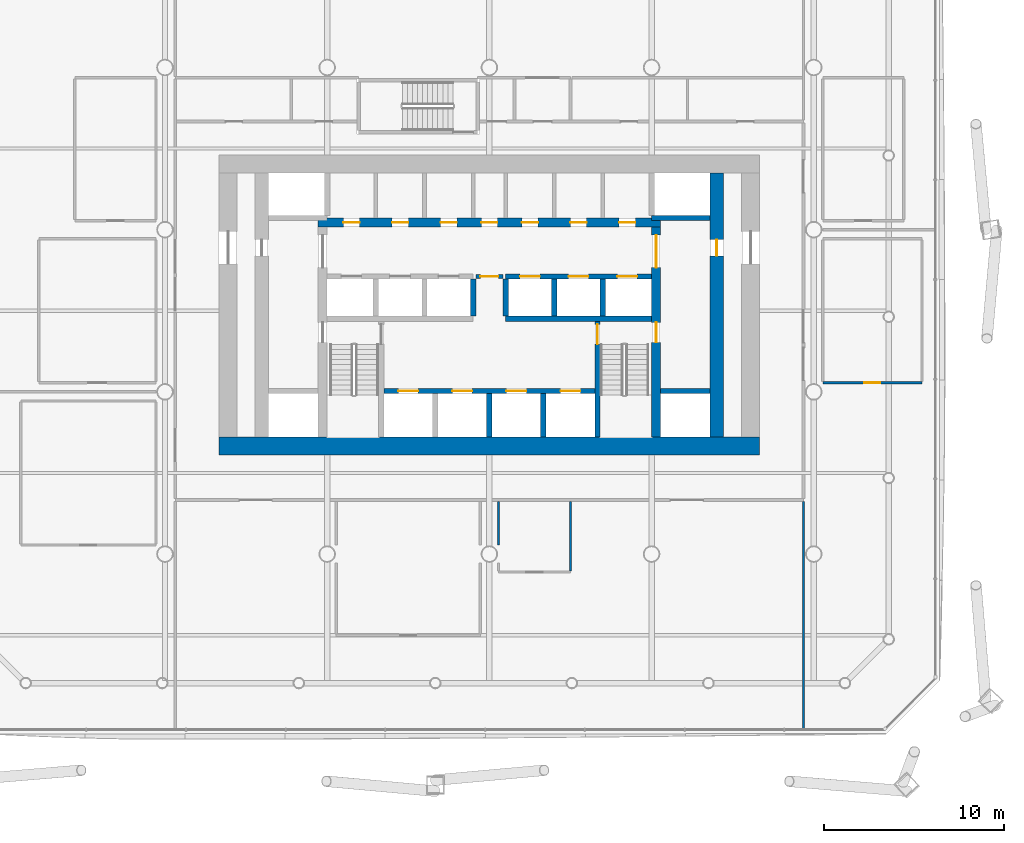
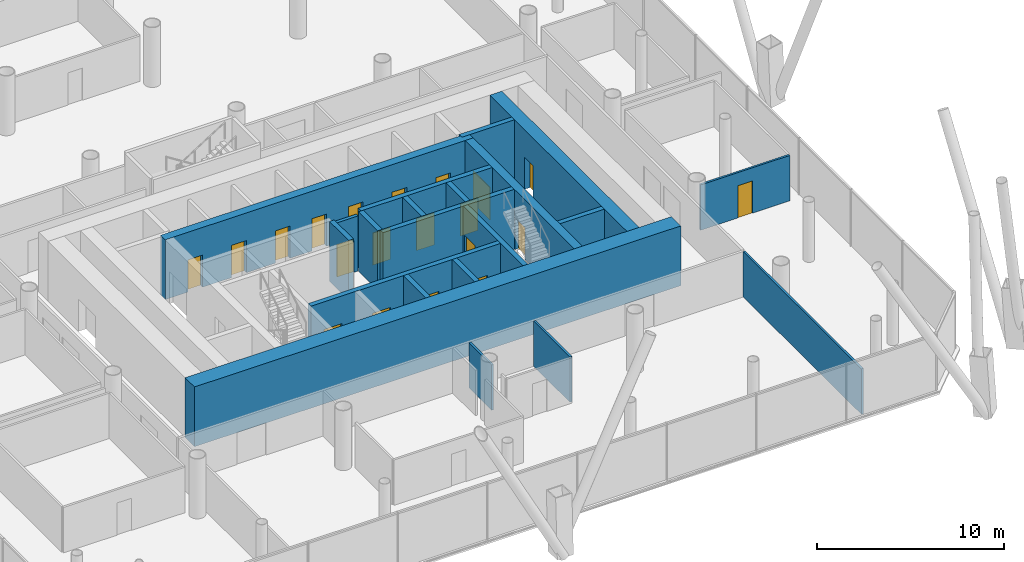
# One storey, part 18 of 25: 21 walls, 20 doors, 20 openings.
"""IFC4 building model written with IfcOpenShell, lengths in metres."""

import ifcopenshell
import ifcopenshell.guid

model = None  # the IFC model being written
_history = None  # IfcOwnerHistory: only IFC2X3 demands one
_inside = {}  # id of a spatial element -> (the spatial element, [elements in it])
_under = {}  # id of a project, library or spatial element -> (it, [spatial elements below it])
_declared = {}  # id of a project -> (the project, [libraries it declares])
_typed = {}  # id of a type object -> (the type object, [elements of that type])
_made_of = {}  # id of a material, layer set ... -> (it, [elements and type objects made of it])


def new_model(schema):
    """Start an empty IFC model of exactly this schema.

    Asked for "IFC4X3", IfcOpenShell would pick the latest addendum, in which some entities
    have other attributes; the version numbers below select the first issue.
    IFC2X3 requires an IfcOwnerHistory on every rooted entity: one is made here for all.
    """
    global model, _history
    if schema == "IFC4X3":
        model = ifcopenshell.file(schema_version=(4, 3, 0, 0))
    else:
        model = ifcopenshell.file(schema=schema)
    _inside.clear()
    _under.clear()
    _declared.clear()
    _typed.clear()
    _made_of.clear()
    _history = None
    if model.schema == "IFC2X3":
        org = make("IfcOrganization", Name="unknown")
        user = make(
            "IfcPersonAndOrganization",
            ThePerson=make("IfcPerson", FamilyName="unknown"),
            TheOrganization=org,
        )
        app = make(
            "IfcApplication",
            ApplicationDeveloper=org,
            Version="unknown",
            ApplicationFullName="unknown",
            ApplicationIdentifier="unknown",
        )
        _history = make(
            "IfcOwnerHistory",
            OwningUser=user,
            OwningApplication=app,
            ChangeAction="ADDED",
            CreationDate=0,
        )
    return model


def make(cls, **values):
    """One entity of the class cls with the attributes given. An attribute that is None is left unset."""
    return model.create_entity(
        cls, **{name: value for name, value in values.items() if value is not None}
    )


def rooted(cls, **values):
    """An entity with a GlobalId (a new one), such as an element, a storey or a relation."""
    return make(cls, GlobalId=ifcopenshell.guid.new(), OwnerHistory=_history, **values)


def si_unit(unit_type, name, prefix=None):
    """IfcSIUnit, for example si_unit("LENGTHUNIT", "METRE", prefix="MILLI")."""
    return make("IfcSIUnit", UnitType=unit_type, Prefix=prefix, Name=name)


def assignment(units):
    """IfcUnitAssignment: the units of a project."""
    return None if units is None else make("IfcUnitAssignment", Units=units)


def point(xyz):
    """IfcCartesianPoint."""
    return None if xyz is None else make("IfcCartesianPoint", Coordinates=xyz)


def direction(xyz):
    """IfcDirection."""
    return None if xyz is None else make("IfcDirection", DirectionRatios=xyz)


def frame(location, z_axis=None, x_axis=None):
    """IfcAxis2Placement3D, a coordinate frame: its origin and axes. An axis left out is left unset."""
    return make(
        "IfcAxis2Placement3D",
        Location=point(location),
        Axis=direction(z_axis),
        RefDirection=direction(x_axis),
    )


def frame_2d(location, x_axis=None):
    """IfcAxis2Placement2D, a coordinate frame in the plane: its origin and x axis."""
    return make(
        "IfcAxis2Placement2D", Location=point(location), RefDirection=direction(x_axis)
    )


def origin():
    """The frame at (0, 0, 0) with its axes left unset."""
    return frame((0.0, 0.0, 0.0))


def place(relative_to, where):
    """IfcLocalPlacement: puts the frame where relative to a parent placement (None: the world)."""
    return make(
        "IfcLocalPlacement", PlacementRelTo=relative_to, RelativePlacement=where
    )


def context(
    kind, dimensions, precision=None, world=None, true_north=None, identifier=None
):
    """IfcGeometricRepresentationContext, for example the 3D "Model" context."""
    return make(
        "IfcGeometricRepresentationContext",
        ContextIdentifier=identifier,
        ContextType=kind,
        CoordinateSpaceDimension=dimensions,
        Precision=precision,
        WorldCoordinateSystem=world,
        TrueNorth=true_north,
    )


def subcontext(parent, identifier, kind, view, scale=None):
    """IfcGeometricRepresentationSubContext, for example "Body" below "Model"."""
    return make(
        "IfcGeometricRepresentationSubContext",
        ContextIdentifier=identifier,
        ContextType=kind,
        ParentContext=parent,
        TargetScale=scale,
        TargetView=view,
    )


def project(units=None, contexts=None):
    """IfcProject with its units and contexts."""
    return rooted(
        "IfcProject",
        Name="project",
        RepresentationContexts=contexts,
        UnitsInContext=assignment(units),
    )


def spatial(cls, under=None, at=None, **own):
    """A site, building, storey or space (cls), placed at a placement, below another one or the project."""
    s = rooted(cls, ObjectPlacement=at, **own)
    if under is not None:
        _under.setdefault(under.id(), (under, []))[1].append(s)
    return s


def profile(cls, at=None, kind="AREA", **sizes):
    """A parametric profile (cls). Its sizes go by their IFC names, for example OverallWidth=200.0."""
    return make(cls, ProfileType=kind, Position=at, **sizes)


def rectangle(**sizes):
    """IfcRectangleProfileDef."""
    return profile("IfcRectangleProfileDef", **sizes)


def extrude(swept, where, along, depth):
    """IfcExtrudedAreaSolid: the profile swept, set in the frame where, extruded along a direction by depth."""
    return make(
        "IfcExtrudedAreaSolid",
        SweptArea=swept,
        Position=where,
        ExtrudedDirection=direction(along),
        Depth=depth,
    )


def shape(context_of_items, identifier, shape_type, items):
    """IfcShapeRepresentation: the items that make up one representation, for example the "Body"."""
    return make(
        "IfcShapeRepresentation",
        ContextOfItems=context_of_items,
        RepresentationIdentifier=identifier,
        RepresentationType=shape_type,
        Items=items,
    )


def material(Name=None, Category=None):
    """IfcMaterial."""
    return make("IfcMaterial", Name=Name, Category=Category)


def layer(
    of_material, thickness, ventilated=None, Name=None, Category=None, Priority=None
):
    """IfcMaterialLayer: one layer of a wall or slab, of a material (None: an air gap)."""
    return make(
        "IfcMaterialLayer",
        Material=of_material,
        LayerThickness=thickness,
        IsVentilated=ventilated,
        Name=Name,
        Category=Category,
        Priority=Priority,
    )


def layer_set(layers, Name=None):
    """IfcMaterialLayerSet."""
    return make("IfcMaterialLayerSet", MaterialLayers=layers, LayerSetName=Name)


def made_of(thing, what):
    """Note that an element or type object is made of a material, layer set ...; save() writes the relation."""
    if what is not None:
        _made_of.setdefault(what.id(), (what, []))[1].append(thing)
    return thing


def type_object(cls, material=None, **own):
    """A type object (cls), such as IfcWallType, which elements share."""
    return made_of(rooted(cls, **own), material)


def element(
    cls,
    number,
    at=None,
    inside=None,
    cuts=None,
    type_object=None,
    material=None,
    context=None,
    identifier="Body",
    shape_type=None,
    held_by="IfcProductDefinitionShape",
    body=None,
    shapes=None,
    **own,
):
    """One element of the class cls, such as IfcWall. Its Tag is "e" and its number.

    at: its placement. inside: the storey or other place that contains it. cuts: it is an
    opening in that element (IfcRelVoidsElement). A single representation is given by context,
    identifier, shape_type and body (its items); several are given by shapes. held_by: the class
    of the entity that holds the representations. save() writes the other relations.
    """
    e = rooted(cls, Tag="e%d" % number, ObjectPlacement=at, **own)
    if body is not None:
        shapes = [shape(context, identifier, shape_type, body)]
    if shapes is not None:
        e.Representation = make(held_by, Representations=shapes)
    if inside is not None:
        _inside.setdefault(inside.id(), (inside, []))[1].append(e)
    if cuts is not None:
        rooted(
            "IfcRelVoidsElement", RelatingBuildingElement=cuts, RelatedOpeningElement=e
        )
    if type_object is not None:
        _typed.setdefault(type_object.id(), (type_object, []))[1].append(e)
    return made_of(e, material)


def fill(opening, filler):
    """IfcRelFillsElement: the door or window that sits in an opening."""
    return rooted(
        "IfcRelFillsElement",
        RelatingOpeningElement=opening,
        RelatedBuildingElement=filler,
    )


def aggregate(whole, parts):
    """IfcRelAggregates: a whole, such as a stair, and the parts it consists of."""
    return rooted("IfcRelAggregates", RelatingObject=whole, RelatedObjects=parts)


def save(model, path):
    """Write the relations noted so far, then the file.

    IfcRelAggregates (storeys below a building ...), IfcRelContainedInSpatialStructure (elements
    in a storey), IfcRelDefinesByType, IfcRelAssociatesMaterial and IfcRelDeclares: one each for
    every whole, place, type object, material and project.
    """
    for whole, parts in _under.values():
        aggregate(whole, parts)
    for where, things in _inside.values():
        rooted(
            "IfcRelContainedInSpatialStructure",
            RelatedElements=things,
            RelatingStructure=where,
        )
    for kind, things in _typed.values():
        rooted("IfcRelDefinesByType", RelatedObjects=things, RelatingType=kind)
    for what, things in _made_of.values():
        rooted("IfcRelAssociatesMaterial", RelatedObjects=things, RelatingMaterial=what)
    for by, libraries in _declared.values():
        rooted("IfcRelDeclares", RelatingContext=by, RelatedDefinitions=libraries)
    model.write(path)


model = new_model("IFC4")

# Units and contexts
model_context = context("Model", 3, precision=1e-05, world=origin(), true_north=direction((0.0, 1.0)))
body_context = subcontext(model_context, "Body", "Model", "MODEL_VIEW")
ifc_project = project(units=[si_unit("LENGTHUNIT", "METRE"), si_unit("AREAUNIT", "SQUARE_METRE"), si_unit("VOLUMEUNIT", "CUBIC_METRE"), si_unit("PLANEANGLEUNIT", "RADIAN"), si_unit("MASSUNIT", "GRAM", prefix="KILO")], contexts=[model_context])

# Site, building, storey
site_placement = place(None, origin())
site = spatial("IfcSite", under=ifc_project, at=site_placement, CompositionType="ELEMENT")
building_placement = place(site_placement, origin())
building = spatial("IfcBuilding", under=site, at=building_placement, Name="Tskaro Facet Tower", CompositionType="ELEMENT")
storey_placement = place(building_placement, frame((0.0, 0.0, 10.800048828125)))
storey = spatial("IfcBuildingStorey", under=building, at=storey_placement, Name="L01", CompositionType="ELEMENT", Elevation=10.800048828125)

# Wall, openings, doors
ifc_material_1 = material(Name="Concrete C60/75", Category="concrete")
ifc_layer_1 = layer(ifc_material_1, 0.300048828125, Name="Concrete C60/75")
ifc_layer_set_1 = layer_set([ifc_layer_1], Name="Concrete C60/75")
wall_type_1 = type_object("IfcWallType", Name="CORE-SHAFT", PredefinedType="SHEAR", material=ifc_layer_set_1)
wall_1_placement = place(storey_placement, frame((-5.85009765625, -8.949951171875, 0.0), z_axis=(0.0, 0.0, 1.0), x_axis=(1.0, 0.0, 0.0)))
wall_1 = element("IfcWall", 1, at=wall_1_placement, inside=storey, type_object=wall_type_1, Name="Shaft wall W008", PredefinedType="SHEAR", context=body_context, shape_type="SweptSolid", body=[
    extrude(rectangle(XDim=11.7001953125, YDim=0.300048828125, at=frame_2d((5.85009765625, 0.0))), origin(), (0.0, 0.0, 1.0), 3.89990234375),
])
opening_1_placement = place(wall_1_placement, frame((0.800048828125, 0.0, 0.0)))
opening_1 = element("IfcOpeningElement", 2, at=opening_1_placement, cuts=wall_1, Name="Opening LD-FF1", PredefinedType="OPENING", context=body_context, shape_type="SweptSolid", body=[
    extrude(rectangle(XDim=1.10009765625, YDim=2.10009765625, at=frame_2d((0.550048828125, 1.050048828125))), frame((0.0, 0.159912109375, 0.0), z_axis=(0.0, -1.0, 0.0), x_axis=(1.0, 0.0, 0.0)), (0.0, 0.0, 1.0), 0.320068359375),
])
opening_2_placement = place(wall_1_placement, frame((3.800048828125, 0.0, 0.0)))
opening_2 = element("IfcOpeningElement", 3, at=opening_2_placement, cuts=wall_1, Name="Opening LD-FF2", PredefinedType="OPENING", context=body_context, shape_type="SweptSolid", body=[
    extrude(rectangle(XDim=1.10009765625, YDim=2.10009765625, at=frame_2d((0.550048828125, 1.050048828125))), frame((0.0, 0.159912109375, 0.0), z_axis=(0.0, -1.0, 0.0), x_axis=(1.0, 0.0, 0.0)), (0.0, 0.0, 1.0), 0.320068359375),
])
opening_3_placement = place(wall_1_placement, frame((6.800048828125, 0.0, 0.0)))
opening_3 = element("IfcOpeningElement", 4, at=opening_3_placement, cuts=wall_1, Name="Opening LD-SV1", PredefinedType="OPENING", context=body_context, shape_type="SweptSolid", body=[
    extrude(rectangle(XDim=1.10009765625, YDim=2.10009765625, at=frame_2d((0.550048828125, 1.050048828125))), frame((0.0, 0.159912109375, 0.0), z_axis=(0.0, -1.0, 0.0), x_axis=(1.0, 0.0, 0.0)), (0.0, 0.0, 1.0), 0.320068359375),
])
opening_4_placement = place(wall_1_placement, frame((9.800048828125, 0.0, 0.0)))
opening_4 = element("IfcOpeningElement", 5, at=opening_4_placement, cuts=wall_1, Name="Opening LD-SV2", PredefinedType="OPENING", context=body_context, shape_type="SweptSolid", body=[
    extrude(rectangle(XDim=1.10009765625, YDim=2.10009765625, at=frame_2d((0.550048828125, 1.050048828125))), frame((0.0, 0.159912109375, 0.0), z_axis=(0.0, -1.0, 0.0), x_axis=(1.0, 0.0, 0.0)), (0.0, 0.0, 1.0), 0.320068359375),
])
ifc_material_2 = material(Name="Stainless steel", Category="steel")
door_type_1 = type_object("IfcDoorType", Name="D-LANDING", OperationType="NOTDEFINED", PredefinedType="DOOR", material=ifc_material_2)
door_1_placement = place(opening_1_placement, origin())
door_1 = element("IfcDoor", 6, at=door_1_placement, inside=storey, type_object=door_type_1, Name="Landing door FF1", OperationType="DOUBLE_DOOR_SLIDING", OverallHeight=2.10009765625, OverallWidth=1.10009765625, PredefinedType="DOOR", context=body_context, shape_type="SweptSolid", body=[
    extrude(rectangle(XDim=1.10009765625, YDim=2.10009765625, at=frame_2d((0.550048828125, 1.050048828125))), frame((0.0, 0.02490234375, 0.0), z_axis=(0.0, -1.0, 0.0), x_axis=(1.0, 0.0, 0.0)), (0.0, 0.0, 1.0), 0.050048828125),
])
fill(opening_1, door_1)
door_2_placement = place(opening_2_placement, origin())
door_2 = element("IfcDoor", 7, at=door_2_placement, inside=storey, type_object=door_type_1, Name="Landing door FF2", OperationType="DOUBLE_DOOR_SLIDING", OverallHeight=2.10009765625, OverallWidth=1.10009765625, PredefinedType="DOOR", context=body_context, shape_type="SweptSolid", body=[
    extrude(rectangle(XDim=1.10009765625, YDim=2.10009765625, at=frame_2d((0.550048828125, 1.050048828125))), frame((0.0, 0.02490234375, 0.0), z_axis=(0.0, -1.0, 0.0), x_axis=(1.0, 0.0, 0.0)), (0.0, 0.0, 1.0), 0.050048828125),
])
fill(opening_2, door_2)
door_3_placement = place(opening_3_placement, origin())
door_3 = element("IfcDoor", 8, at=door_3_placement, inside=storey, type_object=door_type_1, Name="Landing door SV1", OperationType="DOUBLE_DOOR_SLIDING", OverallHeight=2.10009765625, OverallWidth=1.10009765625, PredefinedType="DOOR", context=body_context, shape_type="SweptSolid", body=[
    extrude(rectangle(XDim=1.10009765625, YDim=2.10009765625, at=frame_2d((0.550048828125, 1.050048828125))), frame((0.0, 0.02490234375, 0.0), z_axis=(0.0, -1.0, 0.0), x_axis=(1.0, 0.0, 0.0)), (0.0, 0.0, 1.0), 0.050048828125),
])
fill(opening_3, door_3)
door_4_placement = place(opening_4_placement, origin())
door_4 = element("IfcDoor", 9, at=door_4_placement, inside=storey, type_object=door_type_1, Name="Landing door SV2", OperationType="DOUBLE_DOOR_SLIDING", OverallHeight=2.10009765625, OverallWidth=1.10009765625, PredefinedType="DOOR", context=body_context, shape_type="SweptSolid", body=[
    extrude(rectangle(XDim=1.10009765625, YDim=2.10009765625, at=frame_2d((0.550048828125, 1.050048828125))), frame((0.0, 0.02490234375, 0.0), z_axis=(0.0, -1.0, 0.0), x_axis=(1.0, 0.0, 0.0)), (0.0, 0.0, 1.0), 0.050048828125),
])
fill(opening_4, door_4)

# Walls
wall_2_placement = place(storey_placement, frame((9.5, -8.949951171875, 0.0), z_axis=(0.0, 0.0, 1.0), x_axis=(1.0, 0.0, 0.0)))
element("IfcWall", 10, at=wall_2_placement, inside=storey, type_object=wall_type_1, Name="Shaft wall W009", PredefinedType="SHEAR", context=body_context, shape_type="SweptSolid", body=[
    extrude(rectangle(XDim=2.75, YDim=0.300048828125, at=frame_2d((1.375, 0.0))), origin(), (0.0, 0.0, 1.0), 3.89990234375),
])
wall_3_placement = place(storey_placement, frame((0.89990234375, -4.949951171875, 0.0), z_axis=(0.0, 0.0, 1.0), x_axis=(1.0, 0.0, 0.0)))
element("IfcWall", 11, at=wall_3_placement, inside=storey, type_object=wall_type_1, Name="Shaft wall W013", PredefinedType="SHEAR", context=body_context, shape_type="SweptSolid", body=[
    extrude(rectangle(XDim=8.10009765625, YDim=0.300048828125, at=frame_2d((4.050048828125, 0.0))), origin(), (0.0, 0.0, 1.0), 3.89990234375),
])

# Wall, openings, doors
wall_4_placement = place(storey_placement, frame((0.89990234375, -2.60009765625, 0.0), z_axis=(0.0, 0.0, 1.0), x_axis=(1.0, 0.0, 0.0)))
wall_4 = element("IfcWall", 12, at=wall_4_placement, inside=storey, type_object=wall_type_1, Name="Shaft wall W016", PredefinedType="SHEAR", context=body_context, shape_type="SweptSolid", body=[
    extrude(rectangle(XDim=8.10009765625, YDim=0.300048828125, at=frame_2d((4.050048828125, 0.0))), origin(), (0.0, 0.0, 1.0), 3.89990234375),
])
opening_5_placement = place(wall_4_placement, frame((0.800048828125, 0.0, 0.0)))
opening_5 = element("IfcOpeningElement", 13, at=opening_5_placement, cuts=wall_4, Name="Opening LD-LR4", PredefinedType="OPENING", context=body_context, shape_type="SweptSolid", body=[
    extrude(rectangle(XDim=1.10009765625, YDim=2.10009765625, at=frame_2d((0.550048828125, 1.050048828125))), frame((0.0, 0.159912109375, 0.0), z_axis=(0.0, -1.0, 0.0), x_axis=(1.0, 0.0, 0.0)), (0.0, 0.0, 1.0), 0.320068359375),
])
opening_6_placement = place(wall_4_placement, frame((3.5, 0.0, 0.0)))
opening_6 = element("IfcOpeningElement", 14, at=opening_6_placement, cuts=wall_4, Name="Opening LD-LR5", PredefinedType="OPENING", context=body_context, shape_type="SweptSolid", body=[
    extrude(rectangle(XDim=1.10009765625, YDim=2.10009765625, at=frame_2d((0.550048828125, 1.050048828125))), frame((0.0, 0.159912109375, 0.0), z_axis=(0.0, -1.0, 0.0), x_axis=(1.0, 0.0, 0.0)), (0.0, 0.0, 1.0), 0.320068359375),
])
opening_7_placement = place(wall_4_placement, frame((6.199951171875, 0.0, 0.0)))
opening_7 = element("IfcOpeningElement", 15, at=opening_7_placement, cuts=wall_4, Name="Opening LD-LR6", PredefinedType="OPENING", context=body_context, shape_type="SweptSolid", body=[
    extrude(rectangle(XDim=1.10009765625, YDim=2.10009765625, at=frame_2d((0.550048828125, 1.050048828125))), frame((0.0, 0.159912109375, 0.0), z_axis=(0.0, -1.0, 0.0), x_axis=(1.0, 0.0, 0.0)), (0.0, 0.0, 1.0), 0.320068359375),
])
door_5_placement = place(opening_5_placement, origin())
door_5 = element("IfcDoor", 16, at=door_5_placement, inside=storey, type_object=door_type_1, Name="Landing door LR4", OperationType="DOUBLE_DOOR_SLIDING", OverallHeight=2.10009765625, OverallWidth=1.10009765625, PredefinedType="DOOR", context=body_context, shape_type="SweptSolid", body=[
    extrude(rectangle(XDim=1.10009765625, YDim=2.10009765625, at=frame_2d((0.550048828125, 1.050048828125))), frame((0.0, 0.02490234375, 0.0), z_axis=(0.0, -1.0, 0.0), x_axis=(1.0, 0.0, 0.0)), (0.0, 0.0, 1.0), 0.050048828125),
])
fill(opening_5, door_5)
door_6_placement = place(opening_6_placement, origin())
door_6 = element("IfcDoor", 17, at=door_6_placement, inside=storey, type_object=door_type_1, Name="Landing door LR5", OperationType="DOUBLE_DOOR_SLIDING", OverallHeight=2.10009765625, OverallWidth=1.10009765625, PredefinedType="DOOR", context=body_context, shape_type="SweptSolid", body=[
    extrude(rectangle(XDim=1.10009765625, YDim=2.10009765625, at=frame_2d((0.550048828125, 1.050048828125))), frame((0.0, 0.02490234375, 0.0), z_axis=(0.0, -1.0, 0.0), x_axis=(1.0, 0.0, 0.0)), (0.0, 0.0, 1.0), 0.050048828125),
])
fill(opening_6, door_6)
door_7_placement = place(opening_7_placement, origin())
door_7 = element("IfcDoor", 18, at=door_7_placement, inside=storey, type_object=door_type_1, Name="Landing door LR6", OperationType="DOUBLE_DOOR_SLIDING", OverallHeight=2.10009765625, OverallWidth=1.10009765625, PredefinedType="DOOR", context=body_context, shape_type="SweptSolid", body=[
    extrude(rectangle(XDim=1.10009765625, YDim=2.10009765625, at=frame_2d((0.550048828125, 1.050048828125))), frame((0.0, 0.02490234375, 0.0), z_axis=(0.0, -1.0, 0.0), x_axis=(1.0, 0.0, 0.0)), (0.0, 0.0, 1.0), 0.050048828125),
])
fill(opening_7, door_7)

# Walls
wall_5_placement = place(storey_placement, frame((12.25, 0.64990234375, 0.0), z_axis=(0.0, 0.0, 1.0), x_axis=(-1.0, 0.0, 0.0)))
element("IfcWall", 19, at=wall_5_placement, inside=storey, type_object=wall_type_1, Name="Shaft wall W023", PredefinedType="SHEAR", context=body_context, shape_type="SweptSolid", body=[
    extrude(rectangle(XDim=3.25, YDim=0.300048828125, at=frame_2d((1.625, 0.0))), origin(), (0.0, 0.0, 1.0), 3.89990234375),
])
wall_6_placement = place(storey_placement, frame((-0.89990234375, -4.800048828125, 0.0), z_axis=(0.0, 0.0, 1.0), x_axis=(0.0, 1.0, 0.0)))
element("IfcWall", 20, at=wall_6_placement, inside=storey, type_object=wall_type_1, Name="Shaft wall W057", PredefinedType="SHEAR", context=body_context, shape_type="SweptSolid", body=[
    extrude(rectangle(XDim=2.050048828125, YDim=0.300048828125, at=frame_2d((1.02490234375, 0.0))), origin(), (0.0, 0.0, 1.0), 3.89990234375),
])
wall_7_placement = place(storey_placement, frame((0.0, -11.5, 0.0), z_axis=(0.0, 0.0, 1.0), x_axis=(0.0, 1.0, 0.0)))
element("IfcWall", 21, at=wall_7_placement, inside=storey, type_object=wall_type_1, Name="Shaft wall W063", PredefinedType="SHEAR", context=body_context, shape_type="SweptSolid", body=[
    extrude(rectangle(XDim=2.39990234375, YDim=0.300048828125, at=frame_2d((1.199951171875, 0.0))), origin(), (0.0, 0.0, 1.0), 3.89990234375),
])
wall_8_placement = place(storey_placement, frame((0.89990234375, -4.800048828125, 0.0), z_axis=(0.0, 0.0, 1.0), x_axis=(0.0, 1.0, 0.0)))
element("IfcWall", 22, at=wall_8_placement, inside=storey, type_object=wall_type_1, Name="Shaft wall W066", PredefinedType="SHEAR", context=body_context, shape_type="SweptSolid", body=[
    extrude(rectangle(XDim=2.050048828125, YDim=0.300048828125, at=frame_2d((1.02490234375, 0.0))), origin(), (0.0, 0.0, 1.0), 3.89990234375),
])
wall_9_placement = place(storey_placement, frame((3.0, -11.5, 0.0), z_axis=(0.0, 0.0, 1.0), x_axis=(0.0, 1.0, 0.0)))
element("IfcWall", 23, at=wall_9_placement, inside=storey, type_object=wall_type_1, Name="Shaft wall W069", PredefinedType="SHEAR", context=body_context, shape_type="SweptSolid", body=[
    extrude(rectangle(XDim=2.39990234375, YDim=0.300048828125, at=frame_2d((1.199951171875, 0.0))), origin(), (0.0, 0.0, 1.0), 3.89990234375),
])
wall_10_placement = place(storey_placement, frame((3.60009765625, -4.800048828125, 0.0), z_axis=(0.0, 0.0, 1.0), x_axis=(0.0, 1.0, 0.0)))
element("IfcWall", 24, at=wall_10_placement, inside=storey, type_object=wall_type_1, Name="Shaft wall W070", PredefinedType="SHEAR", context=body_context, shape_type="SweptSolid", body=[
    extrude(rectangle(XDim=2.050048828125, YDim=0.300048828125, at=frame_2d((1.02490234375, 0.0))), origin(), (0.0, 0.0, 1.0), 3.89990234375),
])

# Wall, opening, door
wall_11_placement = place(storey_placement, frame((6.0, -5.10009765625, 0.0), z_axis=(0.0, 0.0, 1.0), x_axis=(0.0, -1.0, 0.0)))
wall_11 = element("IfcWall", 25, at=wall_11_placement, inside=storey, type_object=wall_type_1, Name="Shaft wall W074", PredefinedType="SHEAR", context=body_context, shape_type="SweptSolid", body=[
    extrude(rectangle(XDim=6.39990234375, YDim=0.300048828125, at=frame_2d((3.199951171875, 0.0))), origin(), (0.0, 0.0, 1.0), 3.89990234375),
])
opening_8_placement = place(wall_11_placement, frame((0.14990234375, 0.0, 0.0)))
opening_8 = element("IfcOpeningElement", 26, at=opening_8_placement, cuts=wall_11, Name="Opening ST-2-D1", PredefinedType="OPENING", context=body_context, shape_type="SweptSolid", body=[
    extrude(rectangle(XDim=1.10009765625, YDim=2.10009765625, at=frame_2d((0.550048828125, 1.050048828125))), frame((0.0, 0.159912109375, 0.0), z_axis=(0.0, -1.0, 0.0), x_axis=(1.0, 0.0, 0.0)), (0.0, 0.0, 1.0), 0.320068359375),
])
ifc_material_3 = material(Name="Steel", Category="steel")
door_type_2 = type_object("IfcDoorType", Name="D-STAIR", OperationType="NOTDEFINED", PredefinedType="DOOR", material=ifc_material_3)
door_8_placement = place(opening_8_placement, origin())
door_8 = element("IfcDoor", 27, at=door_8_placement, inside=storey, type_object=door_type_2, Name="Stair door 2", OperationType="SINGLE_SWING_RIGHT", OverallHeight=2.10009765625, OverallWidth=1.10009765625, PredefinedType="DOOR", context=body_context, shape_type="SweptSolid", body=[
    extrude(rectangle(XDim=1.10009765625, YDim=2.10009765625, at=frame_2d((0.550048828125, 1.050048828125))), frame((0.0, 0.02490234375, 0.0), z_axis=(0.0, -1.0, 0.0), x_axis=(1.0, 0.0, 0.0)), (0.0, 0.0, 1.0), 0.050048828125),
])
fill(opening_8, door_8)

# Wall
wall_12_placement = place(storey_placement, frame((6.300048828125, -4.800048828125, 0.0), z_axis=(0.0, 0.0, 1.0), x_axis=(0.0, 1.0, 0.0)))
element("IfcWall", 28, at=wall_12_placement, inside=storey, type_object=wall_type_1, Name="Shaft wall W075", PredefinedType="SHEAR", context=body_context, shape_type="SweptSolid", body=[
    extrude(rectangle(XDim=2.050048828125, YDim=0.300048828125, at=frame_2d((1.02490234375, 0.0))), origin(), (0.0, 0.0, 1.0), 3.89990234375),
])

# Wall, opening, door
ifc_material_4 = material(Name="Concrete C20/25", Category="concrete")
ifc_layer_2 = layer(ifc_material_4, 0.199951171875, Name="Concrete C20/25")
ifc_layer_set_2 = layer_set([ifc_layer_2], Name="Concrete C20/25")
wall_type_2 = type_object("IfcWallType", Name="CORE-WALL", PredefinedType="SOLIDWALL", material=ifc_layer_set_2)
wall_13_placement = place(storey_placement, frame((0.75, -2.60009765625, 0.0), z_axis=(0.0, 0.0, 1.0), x_axis=(-1.0, 0.0, 0.0)))
wall_13 = element("IfcWall", 29, at=wall_13_placement, inside=storey, type_object=wall_type_2, Name="Core room wall W015", PredefinedType="SOLIDWALL", context=body_context, shape_type="SweptSolid", body=[
    extrude(rectangle(XDim=1.5, YDim=0.199951171875, at=frame_2d((0.75, 0.0))), origin(), (0.0, 0.0, 1.0), 3.599853515625),
])
opening_9_placement = place(wall_13_placement, frame((0.25, 0.0, 0.0)))
opening_9 = element("IfcOpeningElement", 30, at=opening_9_placement, cuts=wall_13, Name="Opening FL-D1", PredefinedType="OPENING", context=body_context, shape_type="SweptSolid", body=[
    extrude(rectangle(XDim=1.0, YDim=2.10009765625, at=frame_2d((0.5, 1.050048828125))), frame((0.0, 0.10986328125, 0.0), z_axis=(0.0, -1.0, 0.0), x_axis=(1.0, 0.0, 0.0)), (0.0, 0.0, 1.0), 0.219970703125),
])
door_type_3 = type_object("IfcDoorType", Name="D-LOBBY", OperationType="NOTDEFINED", PredefinedType="DOOR", material=ifc_material_3)
door_9_placement = place(opening_9_placement, origin())
door_9 = element("IfcDoor", 31, at=door_9_placement, inside=storey, type_object=door_type_3, Name="Lobby door FL", OperationType="SINGLE_SWING_RIGHT", OverallHeight=2.10009765625, OverallWidth=1.0, PredefinedType="DOOR", context=body_context, shape_type="SweptSolid", body=[
    extrude(rectangle(XDim=1.0, YDim=2.10009765625, at=frame_2d((0.5, 1.050048828125))), frame((0.0, 0.02490234375, 0.0), z_axis=(0.0, -1.0, 0.0), x_axis=(1.0, 0.0, 0.0)), (0.0, 0.0, 1.0), 0.050048828125),
])
fill(opening_9, door_9)

# Wall
ifc_layer_3 = layer(ifc_material_1, 1.0, Name="Concrete C60/75")
ifc_layer_set_3 = layer_set([ifc_layer_3], Name="Concrete C60/75")
wall_type_3 = type_object("IfcWallType", Name="Core wall 1000", PredefinedType="SHEAR", material=ifc_layer_set_3)
wall_14_placement = place(storey_placement, frame((-15.0, -12.0, 0.0), z_axis=(0.0, 0.0, 1.0), x_axis=(1.0, 0.0, 0.0)))
element("IfcWall", 32, at=wall_14_placement, inside=storey, type_object=wall_type_3, Name="Core wall CW-Z1S", PredefinedType="SHEAR", context=body_context, shape_type="SweptSolid", body=[
    extrude(rectangle(XDim=30.0, YDim=1.0, at=frame_2d((15.0, 0.0))), origin(), (0.0, 0.0, 1.0), 3.89990234375),
])

# Wall, openings, doors
ifc_material_5 = material(Name="Concrete C40/50", Category="concrete")
ifc_layer_4 = layer(ifc_material_5, 0.5, Name="Concrete C40/50")
ifc_layer_set_4 = layer_set([ifc_layer_4], Name="Concrete C40/50")
wall_type_4 = type_object("IfcWallType", Name="Core wall 500", PredefinedType="SHEAR", material=ifc_layer_set_4)
wall_15_placement = place(storey_placement, frame((-9.5, 0.39990234375, 0.0), z_axis=(0.0, 0.0, 1.0), x_axis=(1.0, 0.0, 0.0)))
wall_15 = element("IfcWall", 33, at=wall_15_placement, inside=storey, type_object=wall_type_4, Name="Core wall CW-Z3N", PredefinedType="SHEAR", context=body_context, shape_type="SweptSolid", body=[
    extrude(rectangle(XDim=19.0, YDim=0.5, at=frame_2d((9.5, 0.0))), origin(), (0.0, 0.0, 1.0), 3.89990234375),
])
opening_10_placement = place(wall_15_placement, frame((1.39990234375, 0.0, 0.0)))
opening_10 = element("IfcOpeningElement", 34, at=opening_10_placement, cuts=wall_15, Name="Opening T0-D21", PredefinedType="OPENING", context=body_context, shape_type="SweptSolid", body=[
    extrude(rectangle(XDim=0.89990234375, YDim=2.10009765625, at=frame_2d((0.449951171875, 1.050048828125))), frame((0.0, 0.260009765625, 0.0), z_axis=(0.0, -1.0, 0.0), x_axis=(1.0, 0.0, 0.0)), (0.0, 0.0, 1.0), 0.52001953125),
])
opening_11_placement = place(wall_15_placement, frame((4.10009765625, 0.0, 0.0)))
opening_11 = element("IfcOpeningElement", 35, at=opening_11_placement, cuts=wall_15, Name="Opening T0-D22", PredefinedType="OPENING", context=body_context, shape_type="SweptSolid", body=[
    extrude(rectangle(XDim=0.89990234375, YDim=2.10009765625, at=frame_2d((0.449951171875, 1.050048828125))), frame((0.0, 0.260009765625, 0.0), z_axis=(0.0, -1.0, 0.0), x_axis=(1.0, 0.0, 0.0)), (0.0, 0.0, 1.0), 0.52001953125),
])
opening_12_placement = place(wall_15_placement, frame((6.800048828125, 0.0, 0.0)))
opening_12 = element("IfcOpeningElement", 36, at=opening_12_placement, cuts=wall_15, Name="Opening T0-D23", PredefinedType="OPENING", context=body_context, shape_type="SweptSolid", body=[
    extrude(rectangle(XDim=0.89990234375, YDim=2.10009765625, at=frame_2d((0.449951171875, 1.050048828125))), frame((0.0, 0.260009765625, 0.0), z_axis=(0.0, -1.0, 0.0), x_axis=(1.0, 0.0, 0.0)), (0.0, 0.0, 1.0), 0.52001953125),
])
opening_13_placement = place(wall_15_placement, frame((11.300048828125, 0.0, 0.0)))
opening_13 = element("IfcOpeningElement", 37, at=opening_13_placement, cuts=wall_15, Name="Opening T0-D25", PredefinedType="OPENING", context=body_context, shape_type="SweptSolid", body=[
    extrude(rectangle(XDim=0.89990234375, YDim=2.10009765625, at=frame_2d((0.449951171875, 1.050048828125))), frame((0.0, 0.260009765625, 0.0), z_axis=(0.0, -1.0, 0.0), x_axis=(1.0, 0.0, 0.0)), (0.0, 0.0, 1.0), 0.52001953125),
])
opening_14_placement = place(wall_15_placement, frame((14.0, 0.0, 0.0)))
opening_14 = element("IfcOpeningElement", 38, at=opening_14_placement, cuts=wall_15, Name="Opening T0-D26", PredefinedType="OPENING", context=body_context, shape_type="SweptSolid", body=[
    extrude(rectangle(XDim=0.89990234375, YDim=2.10009765625, at=frame_2d((0.449951171875, 1.050048828125))), frame((0.0, 0.260009765625, 0.0), z_axis=(0.0, -1.0, 0.0), x_axis=(1.0, 0.0, 0.0)), (0.0, 0.0, 1.0), 0.52001953125),
])
opening_15_placement = place(wall_15_placement, frame((16.699951171875, 0.0, 0.0)))
opening_15 = element("IfcOpeningElement", 39, at=opening_15_placement, cuts=wall_15, Name="Opening T0-D27", PredefinedType="OPENING", context=body_context, shape_type="SweptSolid", body=[
    extrude(rectangle(XDim=0.89990234375, YDim=2.10009765625, at=frame_2d((0.449951171875, 1.050048828125))), frame((0.0, 0.260009765625, 0.0), z_axis=(0.0, -1.0, 0.0), x_axis=(1.0, 0.0, 0.0)), (0.0, 0.0, 1.0), 0.52001953125),
])
opening_16_placement = place(wall_15_placement, frame((9.050048828125, 0.0, 0.0)))
opening_16 = element("IfcOpeningElement", 40, at=opening_16_placement, cuts=wall_15, Name="Opening T0-D24", PredefinedType="OPENING", context=body_context, shape_type="SweptSolid", body=[
    extrude(rectangle(XDim=0.89990234375, YDim=2.10009765625, at=frame_2d((0.449951171875, 1.050048828125))), frame((0.0, 0.260009765625, 0.0), z_axis=(0.0, -1.0, 0.0), x_axis=(1.0, 0.0, 0.0)), (0.0, 0.0, 1.0), 0.52001953125),
])
door_type_4 = type_object("IfcDoorType", Name="D-RISER", OperationType="NOTDEFINED", PredefinedType="DOOR", material=ifc_material_3)
door_10_placement = place(opening_16_placement, origin())
door_10 = element("IfcDoor", 41, at=door_10_placement, inside=storey, type_object=door_type_4, Name="Door T0-D24", OperationType="SINGLE_SWING_LEFT", OverallHeight=2.10009765625, OverallWidth=0.89990234375, PredefinedType="DOOR", context=body_context, shape_type="SweptSolid", body=[
    extrude(rectangle(XDim=0.89990234375, YDim=2.10009765625, at=frame_2d((0.449951171875, 1.050048828125))), frame((0.0, 0.02490234375, 0.0), z_axis=(0.0, -1.0, 0.0), x_axis=(1.0, 0.0, 0.0)), (0.0, 0.0, 1.0), 0.050048828125),
])
fill(opening_16, door_10)
ifc_material_6 = material(Name="Timber", Category="wood")
door_type_5 = type_object("IfcDoorType", Name="D-ROOM", OperationType="NOTDEFINED", PredefinedType="DOOR", material=ifc_material_6)
door_11_placement = place(opening_10_placement, origin())
door_11 = element("IfcDoor", 42, at=door_11_placement, inside=storey, type_object=door_type_5, Name="Door T0-D21", OperationType="SINGLE_SWING_LEFT", OverallHeight=2.10009765625, OverallWidth=0.89990234375, PredefinedType="DOOR", context=body_context, shape_type="SweptSolid", body=[
    extrude(rectangle(XDim=0.89990234375, YDim=2.10009765625, at=frame_2d((0.449951171875, 1.050048828125))), frame((0.0, 0.02490234375, 0.0), z_axis=(0.0, -1.0, 0.0), x_axis=(1.0, 0.0, 0.0)), (0.0, 0.0, 1.0), 0.050048828125),
])
fill(opening_10, door_11)
door_12_placement = place(opening_11_placement, origin())
door_12 = element("IfcDoor", 43, at=door_12_placement, inside=storey, type_object=door_type_5, Name="Door T0-D22", OperationType="SINGLE_SWING_LEFT", OverallHeight=2.10009765625, OverallWidth=0.89990234375, PredefinedType="DOOR", context=body_context, shape_type="SweptSolid", body=[
    extrude(rectangle(XDim=0.89990234375, YDim=2.10009765625, at=frame_2d((0.449951171875, 1.050048828125))), frame((0.0, 0.02490234375, 0.0), z_axis=(0.0, -1.0, 0.0), x_axis=(1.0, 0.0, 0.0)), (0.0, 0.0, 1.0), 0.050048828125),
])
fill(opening_11, door_12)
door_13_placement = place(opening_12_placement, origin())
door_13 = element("IfcDoor", 44, at=door_13_placement, inside=storey, type_object=door_type_5, Name="Door T0-D23", OperationType="SINGLE_SWING_LEFT", OverallHeight=2.10009765625, OverallWidth=0.89990234375, PredefinedType="DOOR", context=body_context, shape_type="SweptSolid", body=[
    extrude(rectangle(XDim=0.89990234375, YDim=2.10009765625, at=frame_2d((0.449951171875, 1.050048828125))), frame((0.0, 0.02490234375, 0.0), z_axis=(0.0, -1.0, 0.0), x_axis=(1.0, 0.0, 0.0)), (0.0, 0.0, 1.0), 0.050048828125),
])
fill(opening_12, door_13)
door_14_placement = place(opening_13_placement, origin())
door_14 = element("IfcDoor", 45, at=door_14_placement, inside=storey, type_object=door_type_5, Name="Door T0-D25", OperationType="SINGLE_SWING_LEFT", OverallHeight=2.10009765625, OverallWidth=0.89990234375, PredefinedType="DOOR", context=body_context, shape_type="SweptSolid", body=[
    extrude(rectangle(XDim=0.89990234375, YDim=2.10009765625, at=frame_2d((0.449951171875, 1.050048828125))), frame((0.0, 0.02490234375, 0.0), z_axis=(0.0, -1.0, 0.0), x_axis=(1.0, 0.0, 0.0)), (0.0, 0.0, 1.0), 0.050048828125),
])
fill(opening_13, door_14)
door_15_placement = place(opening_14_placement, origin())
door_15 = element("IfcDoor", 46, at=door_15_placement, inside=storey, type_object=door_type_5, Name="Door T0-D26", OperationType="SINGLE_SWING_LEFT", OverallHeight=2.10009765625, OverallWidth=0.89990234375, PredefinedType="DOOR", context=body_context, shape_type="SweptSolid", body=[
    extrude(rectangle(XDim=0.89990234375, YDim=2.10009765625, at=frame_2d((0.449951171875, 1.050048828125))), frame((0.0, 0.02490234375, 0.0), z_axis=(0.0, -1.0, 0.0), x_axis=(1.0, 0.0, 0.0)), (0.0, 0.0, 1.0), 0.050048828125),
])
fill(opening_14, door_15)
door_16_placement = place(opening_15_placement, origin())
door_16 = element("IfcDoor", 47, at=door_16_placement, inside=storey, type_object=door_type_5, Name="Door T0-D27", OperationType="SINGLE_SWING_LEFT", OverallHeight=2.10009765625, OverallWidth=0.89990234375, PredefinedType="DOOR", context=body_context, shape_type="SweptSolid", body=[
    extrude(rectangle(XDim=0.89990234375, YDim=2.10009765625, at=frame_2d((0.449951171875, 1.050048828125))), frame((0.0, 0.02490234375, 0.0), z_axis=(0.0, -1.0, 0.0), x_axis=(1.0, 0.0, 0.0)), (0.0, 0.0, 1.0), 0.050048828125),
])
fill(opening_15, door_16)

wall_16_placement = place(storey_placement, frame((9.25, -11.5, 0.0), z_axis=(0.0, 0.0, 1.0), x_axis=(0.0, 1.0, 0.0)))
wall_16 = element("IfcWall", 48, at=wall_16_placement, inside=storey, type_object=wall_type_4, Name="Core wall CW-Z3E", PredefinedType="SHEAR", context=body_context, shape_type="SweptSolid", body=[
    extrude(rectangle(XDim=11.64990234375, YDim=0.5, at=frame_2d((5.824951171875, 0.0))), origin(), (0.0, 0.0, 1.0), 3.89990234375),
])
opening_17_placement = place(wall_16_placement, frame((9.39990234375, 0.0, 0.0)))
opening_17 = element("IfcOpeningElement", 49, at=opening_17_placement, cuts=wall_16, Name="Opening T0-D16", PredefinedType="OPENING", context=body_context, shape_type="SweptSolid", body=[
    extrude(rectangle(XDim=1.800048828125, YDim=2.10009765625, at=frame_2d((0.89990234375, 1.050048828125))), frame((0.0, 0.260009765625, 0.0), z_axis=(0.0, -1.0, 0.0), x_axis=(1.0, 0.0, 0.0)), (0.0, 0.0, 1.0), 0.52001953125),
])
opening_18_placement = place(wall_16_placement, frame((5.25, 0.0, 0.0)))
opening_18 = element("IfcOpeningElement", 50, at=opening_18_placement, cuts=wall_16, Name="Opening ST-2-D2", PredefinedType="OPENING", context=body_context, shape_type="SweptSolid", body=[
    extrude(rectangle(XDim=1.10009765625, YDim=2.10009765625, at=frame_2d((0.550048828125, 1.050048828125))), frame((0.0, 0.260009765625, 0.0), z_axis=(0.0, -1.0, 0.0), x_axis=(1.0, 0.0, 0.0)), (0.0, 0.0, 1.0), 0.52001953125),
])
door_type_6 = type_object("IfcDoorType", Name="D-CORE-PAIR", OperationType="NOTDEFINED", PredefinedType="DOOR", material=ifc_material_3)
door_17_placement = place(opening_17_placement, origin())
door_17 = element("IfcDoor", 51, at=door_17_placement, inside=storey, type_object=door_type_6, Name="Door T0-D16", OperationType="DOUBLE_DOOR_SINGLE_SWING", OverallHeight=2.10009765625, OverallWidth=1.800048828125, PredefinedType="DOOR", context=body_context, shape_type="SweptSolid", body=[
    extrude(rectangle(XDim=1.800048828125, YDim=2.10009765625, at=frame_2d((0.89990234375, 1.050048828125))), frame((0.0, 0.02490234375, 0.0), z_axis=(0.0, -1.0, 0.0), x_axis=(1.0, 0.0, 0.0)), (0.0, 0.0, 1.0), 0.050048828125),
])
fill(opening_17, door_17)
door_18_placement = place(opening_18_placement, origin())
door_18 = element("IfcDoor", 52, at=door_18_placement, inside=storey, type_object=door_type_2, Name="Stair door 2 east", OperationType="SINGLE_SWING_LEFT", OverallHeight=2.10009765625, OverallWidth=1.10009765625, PredefinedType="DOOR", context=body_context, shape_type="SweptSolid", body=[
    extrude(rectangle(XDim=1.10009765625, YDim=2.10009765625, at=frame_2d((0.550048828125, 1.050048828125))), frame((0.0, 0.02490234375, 0.0), z_axis=(0.0, -1.0, 0.0), x_axis=(1.0, 0.0, 0.0)), (0.0, 0.0, 1.0), 0.050048828125),
])
fill(opening_18, door_18)

# Wall, opening, door
ifc_material_7 = material(Name="Concrete C50/60", Category="concrete")
ifc_layer_5 = layer(ifc_material_7, 0.75, Name="Concrete C50/60")
ifc_layer_set_5 = layer_set([ifc_layer_5], Name="Concrete C50/60")
wall_type_5 = type_object("IfcWallType", Name="Core wall 750", PredefinedType="SHEAR", material=ifc_layer_set_5)
wall_17_placement = place(storey_placement, frame((12.625, -11.5, 0.0), z_axis=(0.0, 0.0, 1.0), x_axis=(0.0, 1.0, 0.0)))
wall_17 = element("IfcWall", 53, at=wall_17_placement, inside=storey, type_object=wall_type_5, Name="Core wall CW-Z2E", PredefinedType="SHEAR", context=body_context, shape_type="SweptSolid", body=[
    extrude(rectangle(XDim=14.64990234375, YDim=0.75, at=frame_2d((7.324951171875, 0.0))), origin(), (0.0, 0.0, 1.0), 3.89990234375),
])
opening_19_placement = place(wall_17_placement, frame((10.050048828125, 0.0, 0.0)))
opening_19 = element("IfcOpeningElement", 54, at=opening_19_placement, cuts=wall_17, Name="Opening T0-D19", PredefinedType="OPENING", context=body_context, shape_type="SweptSolid", body=[
    extrude(rectangle(XDim=0.89990234375, YDim=2.10009765625, at=frame_2d((0.449951171875, 1.050048828125))), frame((0.0, 0.385009765625, 0.0), z_axis=(0.0, -1.0, 0.0), x_axis=(1.0, 0.0, 0.0)), (0.0, 0.0, 1.0), 0.77001953125),
])
door_19_placement = place(opening_19_placement, origin())
door_19 = element("IfcDoor", 55, at=door_19_placement, inside=storey, type_object=door_type_5, Name="Door T0-D19", OperationType="SINGLE_SWING_LEFT", OverallHeight=2.10009765625, OverallWidth=0.89990234375, PredefinedType="DOOR", context=body_context, shape_type="SweptSolid", body=[
    extrude(rectangle(XDim=0.89990234375, YDim=2.10009765625, at=frame_2d((0.449951171875, 1.050048828125))), frame((0.0, 0.02490234375, 0.0), z_axis=(0.0, -1.0, 0.0), x_axis=(1.0, 0.0, 0.0)), (0.0, 0.0, 1.0), 0.050048828125),
])
fill(opening_19, door_19)

ifc_material_8 = material(Name="Gypsum board on steel studs", Category="steel")
ifc_layer_6 = layer(ifc_material_8, 0.125, Name="Gypsum board on steel studs")
ifc_layer_set_6 = layer_set([ifc_layer_6], Name="Gypsum board on steel studs")
wall_type_6 = type_object("IfcWallType", Name="PART", PredefinedType="PARTITIONING", material=ifc_layer_set_6)
wall_18_placement = place(storey_placement, frame((18.5, -8.5, 0.0), z_axis=(0.0, 0.0, 1.0), x_axis=(1.0, 0.0, 0.0)))
wall_18 = element("IfcWall", 56, at=wall_18_placement, inside=storey, type_object=wall_type_6, Name="Partition W011", PredefinedType="PARTITIONING", context=body_context, shape_type="SweptSolid", body=[
    extrude(rectangle(XDim=5.5, YDim=0.125, at=frame_2d((2.75, 0.0))), origin(), (0.0, 0.0, 1.0), 2.9599609375),
])
opening_20_placement = place(wall_18_placement, frame((2.300048828125, 0.0, 0.0)))
opening_20 = element("IfcOpeningElement", 57, at=opening_20_placement, cuts=wall_18, Name="Opening T0-D10", PredefinedType="OPENING", context=body_context, shape_type="SweptSolid", body=[
    extrude(rectangle(XDim=0.89990234375, YDim=2.10009765625, at=frame_2d((0.449951171875, 1.050048828125))), frame((0.0, 0.072509765625, 0.0), z_axis=(0.0, -1.0, 0.0), x_axis=(1.0, 0.0, 0.0)), (0.0, 0.0, 1.0), 0.14501953125),
])
door_20_placement = place(opening_20_placement, origin())
door_20 = element("IfcDoor", 58, at=door_20_placement, inside=storey, type_object=door_type_5, Name="Door T0-D10", OperationType="SINGLE_SWING_LEFT", OverallHeight=2.10009765625, OverallWidth=0.89990234375, PredefinedType="DOOR", context=body_context, shape_type="SweptSolid", body=[
    extrude(rectangle(XDim=0.89990234375, YDim=2.10009765625, at=frame_2d((0.449951171875, 1.050048828125))), frame((0.0, 0.02490234375, 0.0), z_axis=(0.0, -1.0, 0.0), x_axis=(1.0, 0.0, 0.0)), (0.0, 0.0, 1.0), 0.050048828125),
])
fill(opening_20, door_20)

# Walls
wall_19_placement = place(storey_placement, frame((0.5, -17.5, 0.0), z_axis=(0.0, 0.0, 1.0), x_axis=(0.0, 1.0, 0.0)))
element("IfcWall", 59, at=wall_19_placement, inside=storey, type_object=wall_type_6, Name="Partition W065", PredefinedType="PARTITIONING", context=body_context, shape_type="SweptSolid", body=[
    extrude(rectangle(XDim=2.425048828125, YDim=0.125, at=frame_2d((1.21240234375, 0.0))), origin(), (0.0, 0.0, 1.0), 2.9599609375),
])
wall_20_placement = place(storey_placement, frame((4.5, -18.9375, 0.0), z_axis=(0.0, 0.0, 1.0), x_axis=(0.0, 1.0, 0.0)))
element("IfcWall", 60, at=wall_20_placement, inside=storey, type_object=wall_type_6, Name="Partition W072", PredefinedType="PARTITIONING", context=body_context, shape_type="SweptSolid", body=[
    extrude(rectangle(XDim=3.862548828125, YDim=0.125, at=frame_2d((1.93115234375, 0.0))), origin(), (0.0, 0.0, 1.0), 2.9599609375),
])
wall_21_placement = place(storey_placement, frame((17.425048828125, -27.699951171875, 0.0), z_axis=(0.0, 0.0, 1.0), x_axis=(0.0, 1.0, 0.0)))
element("IfcWall", 61, at=wall_21_placement, inside=storey, type_object=wall_type_6, Name="Partition W079", PredefinedType="PARTITIONING", context=body_context, shape_type="SweptSolid", body=[
    extrude(rectangle(XDim=12.625, YDim=0.125, at=frame_2d((6.3125, 0.0))), origin(), (0.0, 0.0, 1.0), 2.9599609375),
])

save(model, "model.ifc")
